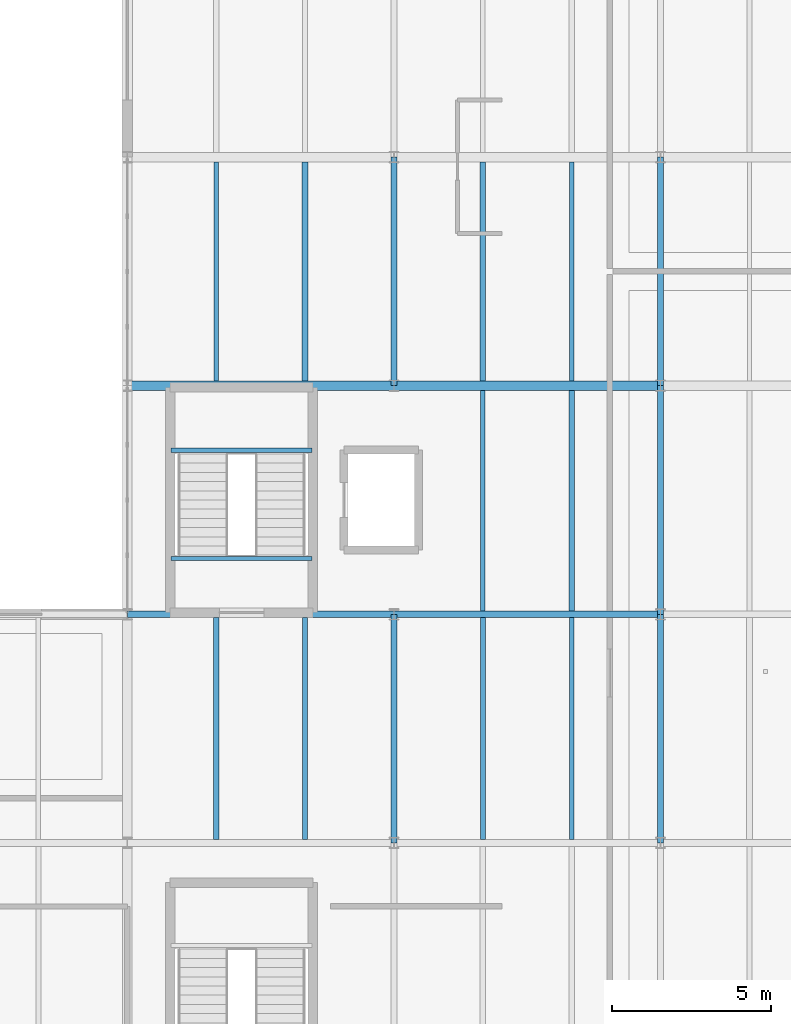
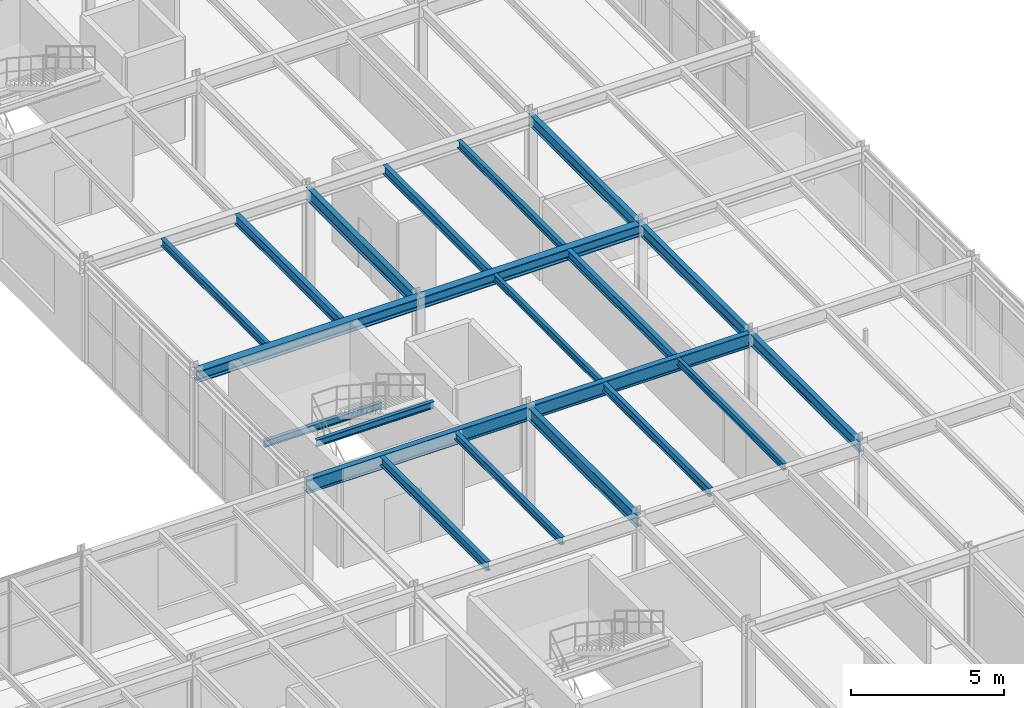
# One storey, part 35 of 73: 21 beams.
"""IFC4 building model written with IfcOpenShell, lengths in metres."""

from ifc_helpers import new_model, si_unit, derived_unit, direction, frame, origin, origin_2d, place, context, subcontext, project, spatial, i_section, extrude, material, material_profile, profile_set, type_object, element, save


model = new_model("IFC4")

# Units and contexts
model_context = context("Model", 3, precision=1e-05, world=origin(), true_north=direction((0.0, 1.0)))
body_context = subcontext(model_context, "Body", "Model", "MODEL_VIEW")
ifc_project = project(units=[si_unit("LENGTHUNIT", "METRE"), si_unit("AREAUNIT", "SQUARE_METRE"), si_unit("VOLUMEUNIT", "CUBIC_METRE"), si_unit("PLANEANGLEUNIT", "RADIAN"), si_unit("MASSUNIT", "GRAM", prefix="KILO"), derived_unit("THERMALTRANSMITTANCEUNIT", [(si_unit("MASSUNIT", "GRAM", prefix="KILO"), 1), (si_unit("TIMEUNIT", "SECOND"), -3), (si_unit("THERMODYNAMICTEMPERATUREUNIT", "KELVIN"), -1)])], contexts=[model_context])

# Site, building, storey
site_placement = place(None, origin())
site = spatial("IfcSite", under=ifc_project, at=site_placement, CompositionType="ELEMENT")
building_placement = place(site_placement, origin())
building = spatial("IfcBuilding", under=site, at=building_placement, Name="Kharveza Railside Sports Centre", CompositionType="ELEMENT")
storey_placement = place(building_placement, frame((0.0, 0.0, 8.699951171875)))
storey = spatial("IfcBuildingStorey", under=building, at=storey_placement, Name="L02", CompositionType="ELEMENT", Elevation=8.699951171875)

# Beams
ifc_material = material(Name="Steel S355J2", Category="steel")
ifc_material_profile_1 = material_profile(ifc_material, i_section(OverallWidth=0.2099609375, OverallDepth=0.550048828125, WebThickness=0.010986328125, FlangeThickness=0.01708984375, FilletRadius=0.02392578125, at=origin_2d()), Name="IPE 550")
ifc_profile_set_1 = profile_set([ifc_material_profile_1], Name="Steel S355J2")
beam_type_1 = type_object("IfcBeamType", Name="BM-G02", PredefinedType="T_BEAM", material=ifc_profile_set_1)
beam_1_placement = place(storey_placement, frame((142.800048828125, 36.0, 3.72509765625), z_axis=(1.0, 0.0, 0.0), x_axis=(0.0, 1.0, 0.0)))
element("IfcBeam", 1, at=beam_1_placement, inside=storey, type_object=beam_type_1, Name="BM-EW-L02-B02-X1428-Y360", PredefinedType="T_BEAM", context=body_context, shape_type="SweptSolid", body=[
    extrude(i_section(OverallWidth=0.2099609375, OverallDepth=0.550048828125, WebThickness=0.010986328125, FlangeThickness=0.01708984375, FilletRadius=0.02392578125, at=origin_2d()), origin(), (0.0, 0.0, 1.0), 8.39990234375),
])
beam_2_placement = place(storey_placement, frame((151.199951171875, 36.0, 3.72509765625), z_axis=(1.0, 0.0, 0.0), x_axis=(0.0, 1.0, 0.0)))
element("IfcBeam", 2, at=beam_2_placement, inside=storey, type_object=beam_type_1, Name="BM-EW-L02-B02-X1512-Y360", PredefinedType="T_BEAM", context=body_context, shape_type="SweptSolid", body=[
    extrude(i_section(OverallWidth=0.2099609375, OverallDepth=0.550048828125, WebThickness=0.010986328125, FlangeThickness=0.01708984375, FilletRadius=0.02392578125, at=origin_2d()), origin(), (0.0, 0.0, 1.0), 8.400146484375),
])
ifc_material_profile_2 = material_profile(ifc_material, i_section(OverallWidth=0.199951171875, OverallDepth=0.5, WebThickness=0.01025390625, FlangeThickness=0.01611328125, FilletRadius=0.02099609375, at=origin_2d()), Name="IPE 500")
ifc_profile_set_2 = profile_set([ifc_material_profile_2], Name="Steel S355J2")
beam_type_2 = type_object("IfcBeamType", Name="BM-G03", PredefinedType="T_BEAM", material=ifc_profile_set_2)
for number, where, z_axis, x_axis, name in (
    (3, (151.199951171875, 28.800048828125, 3.75), (0.0, 1.0, 0.0), (-1.0, 0.0, 0.0), "BM-NS-L02-B03-X1512-Y288"),
    (4, (151.199951171875, 43.199951171875, 3.75), (0.0, 1.0, 0.0), (-1.0, 0.0, 0.0), "BM-NS-L02-B03-X1512-Y432"),
):
    element("IfcBeam", number, at=place(storey_placement, frame(where, z_axis=z_axis, x_axis=x_axis)), inside=storey, type_object=beam_type_2, Name=name, PredefinedType="T_BEAM", context=body_context, shape_type="SweptSolid", body=[
        extrude(i_section(OverallWidth=0.199951171875, OverallDepth=0.5, WebThickness=0.01025390625, FlangeThickness=0.01611328125, FilletRadius=0.02099609375, at=origin_2d()), origin(), (0.0, 0.0, 1.0), 7.199951171875),
    ])
ifc_material_profile_3 = material_profile(ifc_material, i_section(OverallWidth=0.18994140625, OverallDepth=0.449951171875, WebThickness=0.009521484375, FlangeThickness=0.0146484375, FilletRadius=0.02099609375, at=origin_2d()), Name="IPE 450")
ifc_profile_set_3 = profile_set([ifc_material_profile_3], Name="Steel S355J2")
beam_type_3 = type_object("IfcBeamType", Name="BM-G04", PredefinedType="T_BEAM", material=ifc_profile_set_3)
for number, where, z_axis, x_axis, name in (
    (5, (159.60009765625, 28.800048828125, 3.775146484375), (0.0, 1.0, 0.0), (-1.0, 0.0, 0.0), "BM-NS-L02-B04-X1596-Y288"),
    (6, (159.60009765625, 36.0, 3.775146484375), (0.0, 1.0, 0.0), (-1.0, 0.0, 0.0), "BM-NS-L02-B04-X1596-Y360"),
    (7, (159.60009765625, 43.199951171875, 3.775146484375), (0.0, 1.0, 0.0), (-1.0, 0.0, 0.0), "BM-NS-L02-B04-X1596-Y432"),
):
    element("IfcBeam", number, at=place(storey_placement, frame(where, z_axis=z_axis, x_axis=x_axis)), inside=storey, type_object=beam_type_3, Name=name, PredefinedType="T_BEAM", context=body_context, shape_type="SweptSolid", body=[
        extrude(i_section(OverallWidth=0.18994140625, OverallDepth=0.449951171875, WebThickness=0.009521484375, FlangeThickness=0.0146484375, FilletRadius=0.02099609375, at=origin_2d()), origin(), (0.0, 0.0, 1.0), 7.199951171875),
    ])
ifc_material_profile_4 = material_profile(ifc_material, i_section(OverallWidth=0.300048828125, OverallDepth=0.449951171875, WebThickness=0.013916015625, FlangeThickness=0.02587890625, FilletRadius=0.027099609375, at=origin_2d()), Name="HEB 450")
ifc_profile_set_4 = profile_set([ifc_material_profile_4], Name="Steel S355J2")
beam_type_4 = type_object("IfcBeamType", Name="BM-G06", PredefinedType="T_BEAM", material=ifc_profile_set_4)
beam_3_placement = place(storey_placement, frame((142.800048828125, 43.199951171875, 3.775146484375), z_axis=(1.0, 0.0, 0.0), x_axis=(0.0, 1.0, 0.0)))
element("IfcBeam", 8, at=beam_3_placement, inside=storey, type_object=beam_type_4, Name="BM-EW-L02-B06-X1428-Y432", PredefinedType="T_BEAM", context=body_context, shape_type="SweptSolid", body=[
    extrude(i_section(OverallWidth=0.300048828125, OverallDepth=0.449951171875, WebThickness=0.013916015625, FlangeThickness=0.02587890625, FilletRadius=0.027099609375, at=origin_2d()), origin(), (0.0, 0.0, 1.0), 8.39990234375),
])
beam_4_placement = place(storey_placement, frame((151.199951171875, 43.199951171875, 3.775146484375), z_axis=(1.0, 0.0, 0.0), x_axis=(0.0, 1.0, 0.0)))
element("IfcBeam", 9, at=beam_4_placement, inside=storey, type_object=beam_type_4, Name="BM-EW-L02-B06-X1512-Y432", PredefinedType="T_BEAM", context=body_context, shape_type="SweptSolid", body=[
    extrude(i_section(OverallWidth=0.300048828125, OverallDepth=0.449951171875, WebThickness=0.013916015625, FlangeThickness=0.02587890625, FilletRadius=0.027099609375, at=origin_2d()), origin(), (0.0, 0.0, 1.0), 8.400146484375),
])
ifc_material_profile_5 = material_profile(ifc_material, i_section(OverallWidth=0.179931640625, OverallDepth=0.39990234375, WebThickness=0.008544921875, FlangeThickness=0.013427734375, FilletRadius=0.02099609375, at=origin_2d()), Name="IPE 400")
ifc_profile_set_5 = profile_set([ifc_material_profile_5], Name="Steel S355J2")
beam_type_5 = type_object("IfcBeamType", Name="BM-S01", PredefinedType="BEAM", material=ifc_profile_set_5)
beam_5_placement = place(storey_placement, frame((148.39990234375, 43.346923828125, 3.800048828125), z_axis=(0.0, 1.0, 0.0), x_axis=(-1.0, 0.0, 0.0)))
element("IfcBeam", 10, at=beam_5_placement, inside=storey, type_object=beam_type_5, Name="BM-SEC-L02-B09-X1484-Y432", PredefinedType="BEAM", context=body_context, shape_type="SweptSolid", body=[
    extrude(i_section(OverallWidth=0.179931640625, OverallDepth=0.39990234375, WebThickness=0.008544921875, FlangeThickness=0.013427734375, FilletRadius=0.02099609375, at=origin_2d()), origin(), (0.0, 0.0, 1.0), 6.906005859375),
])
ifc_material_profile_6 = material_profile(ifc_material, i_section(OverallWidth=0.169921875, OverallDepth=0.360107421875, WebThickness=0.008056640625, FlangeThickness=0.0126953125, FilletRadius=0.01806640625, at=origin_2d()), Name="IPE 360")
ifc_profile_set_6 = profile_set([ifc_material_profile_6], Name="Steel S355J2")
beam_type_6 = type_object("IfcBeamType", Name="BM-S02", PredefinedType="BEAM", material=ifc_profile_set_6)
beam_6_placement = place(storey_placement, frame((145.60009765625, 28.906982421875, 3.820068359375), z_axis=(0.0, 1.0, 0.0), x_axis=(-1.0, 0.0, 0.0)))
element("IfcBeam", 11, at=beam_6_placement, inside=storey, type_object=beam_type_6, Name="BM-SEC-L02-B10-X1456-Y288", PredefinedType="BEAM", context=body_context, shape_type="SweptSolid", body=[
    extrude(i_section(OverallWidth=0.169921875, OverallDepth=0.360107421875, WebThickness=0.008056640625, FlangeThickness=0.0126953125, FilletRadius=0.01806640625, at=origin_2d()), origin(), (0.0, 0.0, 1.0), 6.990966796875),
])
beam_7_placement = place(storey_placement, frame((156.800048828125, 36.10205078125, 3.820068359375), z_axis=(0.0, 1.0, 0.0), x_axis=(-1.0, 0.0, 0.0)))
element("IfcBeam", 12, at=beam_7_placement, inside=storey, type_object=beam_type_6, Name="BM-SEC-L02-B10-X1568-Y360", PredefinedType="BEAM", context=body_context, shape_type="SweptSolid", body=[
    extrude(i_section(OverallWidth=0.169921875, OverallDepth=0.360107421875, WebThickness=0.008056640625, FlangeThickness=0.0126953125, FilletRadius=0.01806640625, at=origin_2d()), origin(), (0.0, 0.0, 1.0), 6.950927734375),
])
beam_8_placement = place(storey_placement, frame((154.0, 43.346923828125, 3.820068359375), z_axis=(0.0, 1.0, 0.0), x_axis=(-1.0, 0.0, 0.0)))
element("IfcBeam", 13, at=beam_8_placement, inside=storey, type_object=beam_type_6, Name="BM-SEC-L02-B10-X1540-Y432", PredefinedType="BEAM", context=body_context, shape_type="SweptSolid", body=[
    extrude(i_section(OverallWidth=0.169921875, OverallDepth=0.360107421875, WebThickness=0.008056640625, FlangeThickness=0.0126953125, FilletRadius=0.01806640625, at=origin_2d()), origin(), (0.0, 0.0, 1.0), 6.906005859375),
])
ifc_material_profile_7 = material_profile(ifc_material, i_section(OverallWidth=0.159912109375, OverallDepth=0.330078125, WebThickness=0.007568359375, FlangeThickness=0.011474609375, FilletRadius=0.01806640625, at=origin_2d()), Name="IPE 330")
ifc_profile_set_7 = profile_set([ifc_material_profile_7], Name="Steel S355J2")
beam_type_7 = type_object("IfcBeamType", Name="BM-S03", PredefinedType="BEAM", material=ifc_profile_set_7)
beam_9_placement = place(storey_placement, frame((154.0, 28.906982421875, 3.8349609375), z_axis=(0.0, 1.0, 0.0), x_axis=(-1.0, 0.0, 0.0)))
element("IfcBeam", 14, at=beam_9_placement, inside=storey, type_object=beam_type_7, Name="BM-SEC-L02-B11-X1540-Y288", PredefinedType="BEAM", context=body_context, shape_type="SweptSolid", body=[
    extrude(i_section(OverallWidth=0.159912109375, OverallDepth=0.330078125, WebThickness=0.007568359375, FlangeThickness=0.011474609375, FilletRadius=0.01806640625, at=origin_2d()), origin(), (0.0, 0.0, 1.0), 6.990966796875),
])
ifc_material_profile_8 = material_profile(ifc_material, i_section(OverallWidth=0.14990234375, OverallDepth=0.300048828125, WebThickness=0.007080078125, FlangeThickness=0.0107421875, FilletRadius=0.014892578125, at=origin_2d()), Name="IPE 300")
ifc_profile_set_8 = profile_set([ifc_material_profile_8], Name="Steel S355J2")
beam_type_8 = type_object("IfcBeamType", Name="BM-S04", PredefinedType="BEAM", material=ifc_profile_set_8)
beam_10_placement = place(storey_placement, frame((148.39990234375, 28.906982421875, 3.85009765625), z_axis=(0.0, 1.0, 0.0), x_axis=(-1.0, 0.0, 0.0)))
element("IfcBeam", 15, at=beam_10_placement, inside=storey, type_object=beam_type_8, Name="BM-SEC-L02-B12-X1484-Y288", PredefinedType="BEAM", context=body_context, shape_type="SweptSolid", body=[
    extrude(i_section(OverallWidth=0.14990234375, OverallDepth=0.300048828125, WebThickness=0.007080078125, FlangeThickness=0.0107421875, FilletRadius=0.014892578125, at=origin_2d()), origin(), (0.0, 0.0, 1.0), 6.990966796875),
])
for number, where, z_axis, x_axis, name in (
    (16, (145.60009765625, 43.346923828125, 3.85009765625), (0.0, 1.0, 0.0), (-1.0, 0.0, 0.0), "BM-SEC-L02-B12-X1456-Y432"),
    (17, (156.800048828125, 43.346923828125, 3.85009765625), (0.0, 1.0, 0.0), (-1.0, 0.0, 0.0), "BM-SEC-L02-B12-X1568-Y432"),
):
    element("IfcBeam", number, at=place(storey_placement, frame(where, z_axis=z_axis, x_axis=x_axis)), inside=storey, type_object=beam_type_8, Name=name, PredefinedType="BEAM", context=body_context, shape_type="SweptSolid", body=[
        extrude(i_section(OverallWidth=0.14990234375, OverallDepth=0.300048828125, WebThickness=0.007080078125, FlangeThickness=0.0107421875, FilletRadius=0.014892578125, at=origin_2d()), origin(), (0.0, 0.0, 1.0), 6.906005859375),
    ])
ifc_material_profile_9 = material_profile(ifc_material, i_section(OverallWidth=0.135009765625, OverallDepth=0.27001953125, WebThickness=0.006591796875, FlangeThickness=0.01025390625, FilletRadius=0.014892578125, at=origin_2d()), Name="IPE 270")
ifc_profile_set_9 = profile_set([ifc_material_profile_9], Name="Steel S355J2")
beam_type_9 = type_object("IfcBeamType", Name="BM-S05", PredefinedType="BEAM", material=ifc_profile_set_9)
beam_11_placement = place(storey_placement, frame((156.800048828125, 28.906982421875, 3.864990234375), z_axis=(0.0, 1.0, 0.0), x_axis=(-1.0, 0.0, 0.0)))
element("IfcBeam", 18, at=beam_11_placement, inside=storey, type_object=beam_type_9, Name="BM-SEC-L02-B13-X1568-Y288", PredefinedType="BEAM", context=body_context, shape_type="SweptSolid", body=[
    extrude(i_section(OverallWidth=0.135009765625, OverallDepth=0.27001953125, WebThickness=0.006591796875, FlangeThickness=0.01025390625, FilletRadius=0.014892578125, at=origin_2d()), origin(), (0.0, 0.0, 1.0), 6.990966796875),
])
beam_12_placement = place(storey_placement, frame((154.0, 36.10205078125, 3.864990234375), z_axis=(0.0, 1.0, 0.0), x_axis=(-1.0, 0.0, 0.0)))
element("IfcBeam", 19, at=beam_12_placement, inside=storey, type_object=beam_type_9, Name="BM-SEC-L02-B13-X1540-Y360", PredefinedType="BEAM", context=body_context, shape_type="SweptSolid", body=[
    extrude(i_section(OverallWidth=0.135009765625, OverallDepth=0.27001953125, WebThickness=0.006591796875, FlangeThickness=0.01025390625, FilletRadius=0.014892578125, at=origin_2d()), origin(), (0.0, 0.0, 1.0), 6.950927734375),
])
for number, where, z_axis, x_axis, name in (
    (20, (144.179931640625, 41.169921875, 1.780029296875), (1.0, 0.0, 0.0), (0.0, 1.0, 0.0), "BM-HLND-ST1-L02"),
    (21, (144.179931640625, 37.760009765625, 3.880126953125), (1.0, 0.0, 0.0), (0.0, 1.0, 0.0), "BM-STLND-ST1-L03"),
):
    element("IfcBeam", number, at=place(storey_placement, frame(where, z_axis=z_axis, x_axis=x_axis)), inside=storey, type_object=beam_type_9, Name=name, PredefinedType="BEAM", context=body_context, shape_type="SweptSolid", body=[
        extrude(i_section(OverallWidth=0.135009765625, OverallDepth=0.27001953125, WebThickness=0.006591796875, FlangeThickness=0.01025390625, FilletRadius=0.014892578125, at=origin_2d()), origin(), (0.0, 0.0, 1.0), 4.440185546875),
    ])

save(model, "model.ifc")
